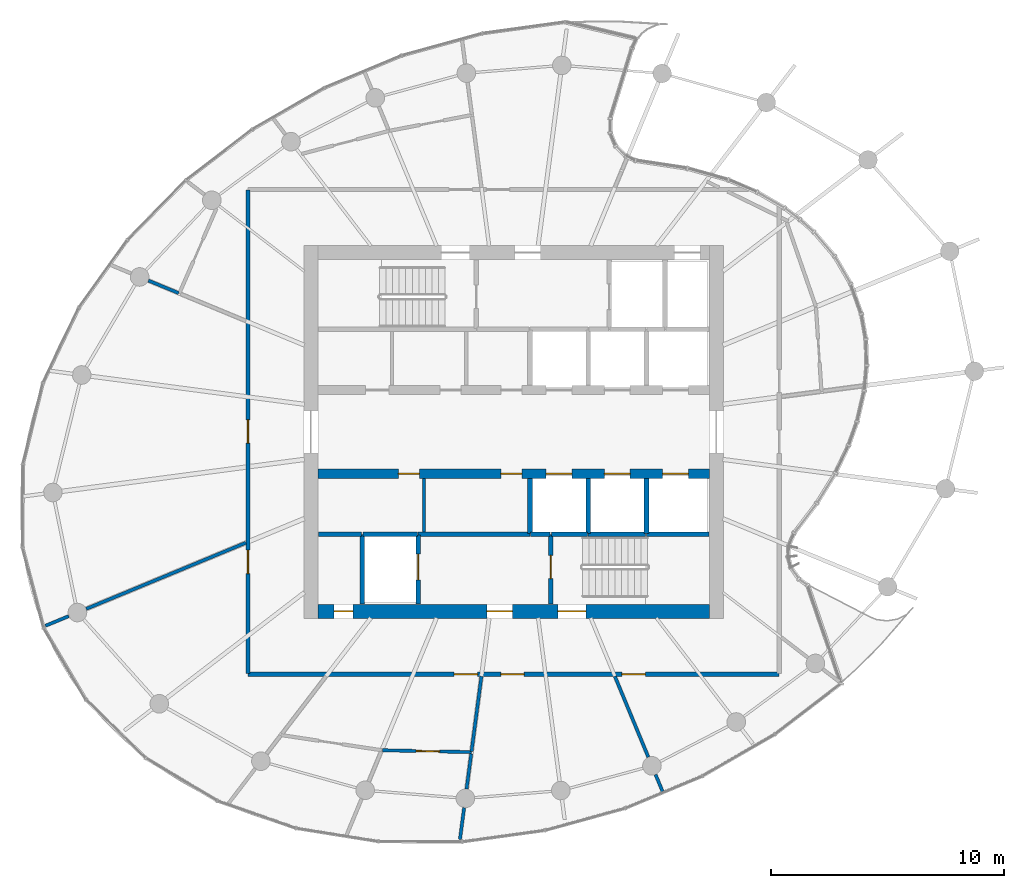
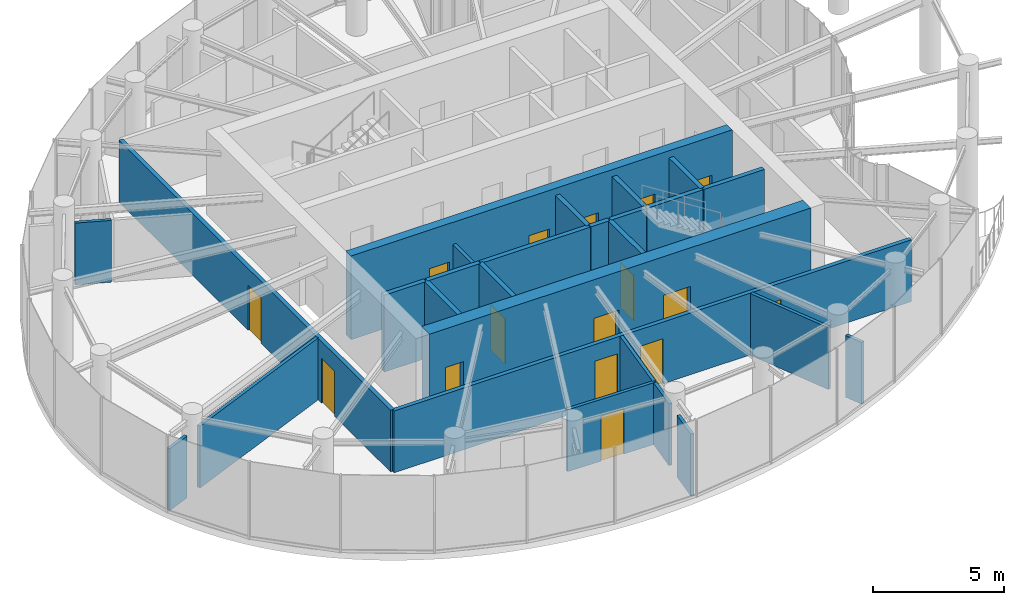
# One storey, part 10 of 14: 27 walls, 16 doors, 16 openings.
"""IFC4 building model written with IfcOpenShell, lengths in metres."""

from ifc_helpers import new_model, si_unit, direction, frame, frame_2d, origin, place, context, subcontext, project, spatial, rectangle, extrude, source, transform, mapped, material, layer, layer_set, type_object, element, fill, save


model = new_model("IFC4")

# Units and contexts
model_context = context("Model", 3, precision=1e-05, world=origin(), true_north=direction((0.0, 1.0)))
body_context = subcontext(model_context, "Body", "Model", "MODEL_VIEW")
ifc_project = project(units=[si_unit("LENGTHUNIT", "METRE"), si_unit("AREAUNIT", "SQUARE_METRE"), si_unit("VOLUMEUNIT", "CUBIC_METRE"), si_unit("PLANEANGLEUNIT", "RADIAN"), si_unit("MASSUNIT", "GRAM", prefix="KILO")], contexts=[model_context])

# Site, building, storey
site_placement = place(None, origin())
site = spatial("IfcSite", under=ifc_project, at=site_placement, CompositionType="ELEMENT")
building_placement = place(site_placement, origin())
building = spatial("IfcBuilding", under=site, at=building_placement, Name="Spindrift Exchange Tower", CompositionType="ELEMENT")
storey_placement = place(building_placement, frame((0.0, 0.0, 238.39990234375)))
storey = spatial("IfcBuildingStorey", under=building, at=storey_placement, Name="L58", CompositionType="ELEMENT", Elevation=238.39990234375)

# Wall, openings, doors
ifc_material_1 = material(Name="Concrete 50 MPa", Category="concrete")
ifc_layer_1 = layer(ifc_material_1, 0.60009765625)
ifc_layer_set_1 = layer_set([ifc_layer_1], Name="RC Core Wall 600 Concrete 50 MPa")
wall_type_1 = type_object("IfcWallType", Name="RC Core Wall 600 Concrete 50 MPa", PredefinedType="SHEAR", material=ifc_layer_set_1)
wall_1_placement = place(storey_placement, frame((43.60009765625, 40.300048828125, 0.0), z_axis=(0.0, 0.0, 1.0), x_axis=(1.0, 0.0, 0.0)))
wall_1 = element("IfcWall", 1, at=wall_1_placement, inside=storey, type_object=wall_type_1, Name="Core wall S L58", PredefinedType="SHEAR", context=body_context, shape_type="SweptSolid", body=[
    extrude(rectangle(XDim=16.7998046875, YDim=0.60009765625, at=frame_2d((8.39990234375, 0.0))), origin(), (0.0, 0.0, 1.0), 3.900146484375),
])
opening_1_placement = place(wall_1_placement, frame((10.300048828125, 0.0, 0.0)))
opening_1 = element("IfcOpeningElement", 2, at=opening_1_placement, cuts=wall_1, Name="Opening L58-D15", PredefinedType="OPENING", context=body_context, shape_type="SweptSolid", body=[
    extrude(rectangle(XDim=1.199951171875, YDim=2.10009765625, at=frame_2d((0.60009765625, 1.050048828125))), frame((0.0, 0.31005859375, 0.0), z_axis=(0.0, -1.0, 0.0), x_axis=(1.0, 0.0, 0.0)), (0.0, 0.0, 1.0), 0.6201171875),
])
opening_2_placement = place(wall_1_placement, frame((7.25, 0.0, 0.0)))
opening_2 = element("IfcOpeningElement", 3, at=opening_2_placement, cuts=wall_1, Name="Opening L58-D17", PredefinedType="OPENING", context=body_context, shape_type="SweptSolid", body=[
    extrude(rectangle(XDim=1.10009765625, YDim=2.10009765625, at=frame_2d((0.550048828125, 1.050048828125))), frame((0.0, 0.31005859375, 0.0), z_axis=(0.0, -1.0, 0.0), x_axis=(1.0, 0.0, 0.0)), (0.0, 0.0, 1.0), 0.6201171875),
])
opening_3_placement = place(wall_1_placement, frame((0.699951171875, 0.0, 0.0)))
opening_3 = element("IfcOpeningElement", 4, at=opening_3_placement, cuts=wall_1, Name="Opening L58-D18", PredefinedType="OPENING", context=body_context, shape_type="SweptSolid", body=[
    extrude(rectangle(XDim=0.800048828125, YDim=2.10009765625, at=frame_2d((0.39990234375, 1.050048828125))), frame((0.0, 0.31005859375, 0.0), z_axis=(0.0, -1.0, 0.0), x_axis=(1.0, 0.0, 0.0)), (0.0, 0.0, 1.0), 0.6201171875),
])
ifc_material_2 = material(Name="Steel fire door", Category="steel")
door_type_1 = type_object("IfcDoorType", Name="DR-STAIR-1200", OperationType="NOTDEFINED", PredefinedType="DOOR", material=ifc_material_2)
shared_shape_1 = source(origin(), body_context, "Body", "SweptSolid", [
    extrude(rectangle(XDim=1.199951171875, YDim=2.10009765625, at=frame_2d((0.60009765625, 1.050048828125))), frame((0.0, 0.02490234375, 0.0), z_axis=(0.0, -1.0, 0.0), x_axis=(1.0, 0.0, 0.0)), (0.0, 0.0, 1.0), 0.050048828125),
])
door_1_placement = place(opening_1_placement, origin())
door_1 = element("IfcDoor", 5, at=door_1_placement, inside=storey, type_object=door_type_1, Name="L58 Stair door 15", OperationType="SINGLE_SWING_RIGHT", OverallHeight=2.10009765625, OverallWidth=1.199951171875, PredefinedType="DOOR", context=body_context, shape_type="MappedRepresentation", body=[
    mapped(shared_shape_1, transform((0.0, 0.0, 0.0), scale=1.0)),
])
fill(opening_1, door_1)
ifc_material_3 = material(Name="Timber-core fire door", Category="wood")
door_type_2 = type_object("IfcDoorType", Name="DR-LOBBY-1100", OperationType="NOTDEFINED", PredefinedType="DOOR", material=ifc_material_3)
shared_shape_2 = source(origin(), body_context, "Body", "SweptSolid", [
    extrude(rectangle(XDim=1.10009765625, YDim=2.10009765625, at=frame_2d((0.550048828125, 1.050048828125))), frame((0.0, 0.02490234375, 0.0), z_axis=(0.0, -1.0, 0.0), x_axis=(1.0, 0.0, 0.0)), (0.0, 0.0, 1.0), 0.050048828125),
])
door_2_placement = place(opening_2_placement, origin())
door_2 = element("IfcDoor", 6, at=door_2_placement, inside=storey, type_object=door_type_2, Name="L58 Lobby door 17", OperationType="SINGLE_SWING_RIGHT", OverallHeight=2.10009765625, OverallWidth=1.10009765625, PredefinedType="DOOR", context=body_context, shape_type="MappedRepresentation", body=[
    mapped(shared_shape_2, transform((0.0, 0.0, 0.0), scale=1.0)),
])
fill(opening_2, door_2)
ifc_material_4 = material(Name="Steel access door", Category="steel")
door_type_3 = type_object("IfcDoorType", Name="DR-RISER-800", OperationType="NOTDEFINED", PredefinedType="DOOR", material=ifc_material_4)
shared_shape_3 = source(origin(), body_context, "Body", "SweptSolid", [
    extrude(rectangle(XDim=0.800048828125, YDim=2.10009765625, at=frame_2d((0.39990234375, 1.050048828125))), frame((0.0, 0.02490234375, 0.0), z_axis=(0.0, -1.0, 0.0), x_axis=(1.0, 0.0, 0.0)), (0.0, 0.0, 1.0), 0.050048828125),
])
door_3_placement = place(opening_3_placement, origin())
door_3 = element("IfcDoor", 7, at=door_3_placement, inside=storey, type_object=door_type_3, Name="L58 Riser door 18", OperationType="SINGLE_SWING_LEFT", OverallHeight=2.10009765625, OverallWidth=0.800048828125, PredefinedType="DOOR", context=body_context, shape_type="MappedRepresentation", body=[
    mapped(shared_shape_3, transform((0.0, 0.0, 0.0), scale=1.0)),
])
fill(opening_3, door_3)

ifc_layer_2 = layer(ifc_material_1, 0.39990234375)
ifc_layer_set_2 = layer_set([ifc_layer_2], Name="RC Spine Wall 400 Concrete 50 MPa")
wall_type_2 = type_object("IfcWallType", Name="RC Spine Wall 400 Concrete 50 MPa", PredefinedType="SHEAR", material=ifc_layer_set_2)
wall_2_placement = place(storey_placement, frame((43.60009765625, 46.199951171875, 0.0), z_axis=(0.0, 0.0, 1.0), x_axis=(1.0, 0.0, 0.0)))
wall_2 = element("IfcWall", 8, at=wall_2_placement, inside=storey, type_object=wall_type_2, Name="Core spine wall S L58", PredefinedType="SHEAR", context=body_context, shape_type="SweptSolid", body=[
    extrude(rectangle(XDim=16.7998046875, YDim=0.39990234375, at=frame_2d((8.39990234375, 0.0))), origin(), (0.0, 0.0, 1.0), 3.900146484375),
])
opening_4_placement = place(wall_2_placement, frame((9.800048828125, 0.0, 0.0)))
opening_4 = element("IfcOpeningElement", 9, at=opening_4_placement, cuts=wall_2, Name="Opening L58-D6", PredefinedType="OPENING", context=body_context, shape_type="SweptSolid", body=[
    extrude(rectangle(XDim=1.10009765625, YDim=2.10009765625, at=frame_2d((0.550048828125, 1.050048828125))), frame((0.0, 0.2099609375, 0.0), z_axis=(0.0, -1.0, 0.0), x_axis=(1.0, 0.0, 0.0)), (0.0, 0.0, 1.0), 0.419921875),
])
opening_5_placement = place(wall_2_placement, frame((12.300048828125, 0.0, 0.0)))
opening_5 = element("IfcOpeningElement", 10, at=opening_5_placement, cuts=wall_2, Name="Opening L58-D7", PredefinedType="OPENING", context=body_context, shape_type="SweptSolid", body=[
    extrude(rectangle(XDim=1.10009765625, YDim=2.10009765625, at=frame_2d((0.550048828125, 1.050048828125))), frame((0.0, 0.2099609375, 0.0), z_axis=(0.0, -1.0, 0.0), x_axis=(1.0, 0.0, 0.0)), (0.0, 0.0, 1.0), 0.419921875),
])
opening_6_placement = place(wall_2_placement, frame((14.800048828125, 0.0, 0.0)))
opening_6 = element("IfcOpeningElement", 11, at=opening_6_placement, cuts=wall_2, Name="Opening L58-D8", PredefinedType="OPENING", context=body_context, shape_type="SweptSolid", body=[
    extrude(rectangle(XDim=1.10009765625, YDim=2.10009765625, at=frame_2d((0.550048828125, 1.050048828125))), frame((0.0, 0.2099609375, 0.0), z_axis=(0.0, -1.0, 0.0), x_axis=(1.0, 0.0, 0.0)), (0.0, 0.0, 1.0), 0.419921875),
])
opening_7_placement = place(wall_2_placement, frame((3.449951171875, 0.0, 0.0)))
opening_7 = element("IfcOpeningElement", 12, at=opening_7_placement, cuts=wall_2, Name="Opening L58-D37", PredefinedType="OPENING", context=body_context, shape_type="SweptSolid", body=[
    extrude(rectangle(XDim=0.89990234375, YDim=2.10009765625, at=frame_2d((0.449951171875, 1.050048828125))), frame((0.0, 0.2099609375, 0.0), z_axis=(0.0, -1.0, 0.0), x_axis=(1.0, 0.0, 0.0)), (0.0, 0.0, 1.0), 0.419921875),
])
opening_8_placement = place(wall_2_placement, frame((7.85009765625, 0.0, 0.0)))
opening_8 = element("IfcOpeningElement", 13, at=opening_8_placement, cuts=wall_2, Name="Opening L58-D38", PredefinedType="OPENING", context=body_context, shape_type="SweptSolid", body=[
    extrude(rectangle(XDim=0.89990234375, YDim=2.10009765625, at=frame_2d((0.449951171875, 1.050048828125))), frame((0.0, 0.2099609375, 0.0), z_axis=(0.0, -1.0, 0.0), x_axis=(1.0, 0.0, 0.0)), (0.0, 0.0, 1.0), 0.419921875),
])
ifc_material_5 = material(Name="Stainless steel landing door", Category="steel")
door_type_4 = type_object("IfcDoorType", Name="DR-LANDING-1100-SL", OperationType="DOUBLE_DOOR_SLIDING", PredefinedType="USERDEFINED", material=ifc_material_5)
shared_shape_4 = source(origin(), body_context, "Body", "SweptSolid", [
    extrude(rectangle(XDim=1.10009765625, YDim=2.10009765625, at=frame_2d((0.550048828125, 1.050048828125))), frame((0.0, 0.02490234375, 0.0), z_axis=(0.0, -1.0, 0.0), x_axis=(1.0, 0.0, 0.0)), (0.0, 0.0, 1.0), 0.050048828125),
])
door_4_placement = place(opening_4_placement, origin())
door_4 = element("IfcDoor", 14, at=door_4_placement, inside=storey, type_object=door_type_4, Name="L58 Lift landing door 6", ObjectType="LANDING DOOR", OperationType="DOUBLE_DOOR_SLIDING", OverallHeight=2.10009765625, OverallWidth=1.10009765625, PredefinedType="USERDEFINED", context=body_context, shape_type="MappedRepresentation", body=[
    mapped(shared_shape_4, transform((0.0, 0.0, 0.0), scale=1.0)),
])
fill(opening_4, door_4)
door_5_placement = place(opening_5_placement, origin())
door_5 = element("IfcDoor", 15, at=door_5_placement, inside=storey, type_object=door_type_4, Name="L58 Lift landing door 7", ObjectType="LANDING DOOR", OperationType="DOUBLE_DOOR_SLIDING", OverallHeight=2.10009765625, OverallWidth=1.10009765625, PredefinedType="USERDEFINED", context=body_context, shape_type="MappedRepresentation", body=[
    mapped(shared_shape_4, transform((0.0, 0.0, 0.0), scale=1.0)),
])
fill(opening_5, door_5)
door_6_placement = place(opening_6_placement, origin())
door_6 = element("IfcDoor", 16, at=door_6_placement, inside=storey, type_object=door_type_4, Name="L58 Lift landing door 8", ObjectType="LANDING DOOR", OperationType="DOUBLE_DOOR_SLIDING", OverallHeight=2.10009765625, OverallWidth=1.10009765625, PredefinedType="USERDEFINED", context=body_context, shape_type="MappedRepresentation", body=[
    mapped(shared_shape_4, transform((0.0, 0.0, 0.0), scale=1.0)),
])
fill(opening_6, door_6)
door_type_5 = type_object("IfcDoorType", Name="DR-RISER-900", OperationType="NOTDEFINED", PredefinedType="DOOR", material=ifc_material_4)
shared_shape_5 = source(origin(), body_context, "Body", "SweptSolid", [
    extrude(rectangle(XDim=0.89990234375, YDim=2.10009765625, at=frame_2d((0.449951171875, 1.050048828125))), frame((0.0, 0.02490234375, 0.0), z_axis=(0.0, -1.0, 0.0), x_axis=(1.0, 0.0, 0.0)), (0.0, 0.0, 1.0), 0.050048828125),
])
door_7_placement = place(opening_7_placement, origin())
door_7 = element("IfcDoor", 17, at=door_7_placement, inside=storey, type_object=door_type_5, Name="L58 Riser door 37", OperationType="SINGLE_SWING_RIGHT", OverallHeight=2.10009765625, OverallWidth=0.89990234375, PredefinedType="DOOR", context=body_context, shape_type="MappedRepresentation", body=[
    mapped(shared_shape_5, transform((0.0, 0.0, 0.0), scale=1.0)),
])
fill(opening_7, door_7)
door_8_placement = place(opening_8_placement, origin())
door_8 = element("IfcDoor", 18, at=door_8_placement, inside=storey, type_object=door_type_5, Name="L58 Riser door 38", OperationType="SINGLE_SWING_LEFT", OverallHeight=2.10009765625, OverallWidth=0.89990234375, PredefinedType="DOOR", context=body_context, shape_type="MappedRepresentation", body=[
    mapped(shared_shape_5, transform((0.0, 0.0, 0.0), scale=1.0)),
])
fill(opening_8, door_8)

ifc_material_6 = material(Name="Fire-rated plasterboard partition", Category="gypsum")
ifc_layer_3 = layer(ifc_material_6, 0.179931640625)
ifc_layer_set_3 = layer_set([ifc_layer_3], Name="W-CORR-180")
wall_type_3 = type_object("IfcWallType", Name="W-CORR-180", PredefinedType="PARTITIONING", material=ifc_layer_set_3)
wall_3_placement = place(storey_placement, frame((63.39990234375, 37.60009765625, 0.0), z_axis=(0.0, 0.0, 1.0), x_axis=(-1.0, 0.0, 0.0)))
wall_3 = element("IfcWall", 19, at=wall_3_placement, inside=storey, type_object=wall_type_3, Name="L58 Partition wall 27", PredefinedType="PARTITIONING", context=body_context, shape_type="SweptSolid", body=[
    extrude(rectangle(XDim=22.7998046875, YDim=0.179931640625, at=frame_2d((11.39990234375, 0.0))), origin(), (0.0, 0.0, 1.0), 2.880126953125),
])
opening_9_placement = place(wall_3_placement, frame((12.949951171875, 0.0, 0.0)))
opening_9 = element("IfcOpeningElement", 20, at=opening_9_placement, cuts=wall_3, Name="Opening L58-D28", PredefinedType="OPENING", context=body_context, shape_type="SweptSolid", body=[
    extrude(rectangle(XDim=1.0, YDim=2.10009765625, at=frame_2d((0.5, 1.050048828125))), frame((0.0, 0.099853515625, 0.0), z_axis=(0.0, -1.0, 0.0), x_axis=(1.0, 0.0, 0.0)), (0.0, 0.0, 1.0), 0.199951171875),
])
opening_10_placement = place(wall_3_placement, frame((10.949951171875, 0.0, 0.0)))
opening_10 = element("IfcOpeningElement", 21, at=opening_10_placement, cuts=wall_3, Name="Opening L58-D31", PredefinedType="OPENING", context=body_context, shape_type="SweptSolid", body=[
    extrude(rectangle(XDim=1.0, YDim=2.10009765625, at=frame_2d((0.5, 1.050048828125))), frame((0.0, 0.099853515625, 0.0), z_axis=(0.0, -1.0, 0.0), x_axis=(1.0, 0.0, 0.0)), (0.0, 0.0, 1.0), 0.199951171875),
])
opening_11_placement = place(wall_3_placement, frame((5.75, 0.0, 0.0)))
opening_11 = element("IfcOpeningElement", 22, at=opening_11_placement, cuts=wall_3, Name="Opening L58-D32", PredefinedType="OPENING", context=body_context, shape_type="SweptSolid", body=[
    extrude(rectangle(XDim=1.0, YDim=2.10009765625, at=frame_2d((0.5, 1.050048828125))), frame((0.0, 0.099853515625, 0.0), z_axis=(0.0, -1.0, 0.0), x_axis=(1.0, 0.0, 0.0)), (0.0, 0.0, 1.0), 0.199951171875),
])
door_type_6 = type_object("IfcDoorType", Name="DR-ROOM-1000", OperationType="NOTDEFINED", PredefinedType="DOOR", material=ifc_material_3)
shared_shape_6 = source(origin(), body_context, "Body", "SweptSolid", [
    extrude(rectangle(XDim=1.0, YDim=2.10009765625, at=frame_2d((0.5, 1.050048828125))), frame((0.0, 0.02490234375, 0.0), z_axis=(0.0, -1.0, 0.0), x_axis=(1.0, 0.0, 0.0)), (0.0, 0.0, 1.0), 0.050048828125),
])
door_9_placement = place(opening_9_placement, origin())
door_9 = element("IfcDoor", 23, at=door_9_placement, inside=storey, type_object=door_type_6, Name="L58 Door 28", OperationType="SINGLE_SWING_LEFT", OverallHeight=2.10009765625, OverallWidth=1.0, PredefinedType="DOOR", context=body_context, shape_type="MappedRepresentation", body=[
    mapped(shared_shape_6, transform((0.0, 0.0, 0.0), scale=1.0)),
])
fill(opening_9, door_9)
door_10_placement = place(opening_10_placement, origin())
door_10 = element("IfcDoor", 24, at=door_10_placement, inside=storey, type_object=door_type_6, Name="L58 Door 31", OperationType="SINGLE_SWING_RIGHT", OverallHeight=2.10009765625, OverallWidth=1.0, PredefinedType="DOOR", context=body_context, shape_type="MappedRepresentation", body=[
    mapped(shared_shape_6, transform((0.0, 0.0, 0.0), scale=1.0)),
])
fill(opening_10, door_10)
door_11_placement = place(opening_11_placement, origin())
door_11 = element("IfcDoor", 25, at=door_11_placement, inside=storey, type_object=door_type_6, Name="L58 Door 32", OperationType="SINGLE_SWING_LEFT", OverallHeight=2.10009765625, OverallWidth=1.0, PredefinedType="DOOR", context=body_context, shape_type="MappedRepresentation", body=[
    mapped(shared_shape_6, transform((0.0, 0.0, 0.0), scale=1.0)),
])
fill(opening_11, door_11)

wall_4_placement = place(storey_placement, frame((40.60009765625, 37.6298828125, 0.0), z_axis=(0.0, 0.0, 1.0), x_axis=(0.0, 1.0, 0.0)))
wall_4 = element("IfcWall", 26, at=wall_4_placement, inside=storey, type_object=wall_type_3, Name="L58 Partition wall 29", PredefinedType="PARTITIONING", context=body_context, shape_type="SweptSolid", body=[
    extrude(rectangle(XDim=20.740234375, YDim=0.179931640625, at=frame_2d((10.3701171875, 0.0))), origin(), (0.0, 0.0, 1.0), 2.880126953125),
])
opening_12_placement = place(wall_4_placement, frame((9.889892578125, 0.0, 0.0)))
opening_12 = element("IfcOpeningElement", 27, at=opening_12_placement, cuts=wall_4, Name="Opening L58-D26", PredefinedType="OPENING", context=body_context, shape_type="SweptSolid", body=[
    extrude(rectangle(XDim=1.0, YDim=2.10009765625, at=frame_2d((0.5, 1.050048828125))), frame((0.0, 0.099853515625, 0.0), z_axis=(0.0, -1.0, 0.0), x_axis=(1.0, 0.0, 0.0)), (0.0, 0.0, 1.0), 0.199951171875),
])
opening_13_placement = place(wall_4_placement, frame((4.2900390625, 0.0, 0.0)))
opening_13 = element("IfcOpeningElement", 28, at=opening_13_placement, cuts=wall_4, Name="Opening L58-D27", PredefinedType="OPENING", context=body_context, shape_type="SweptSolid", body=[
    extrude(rectangle(XDim=1.0, YDim=2.10009765625, at=frame_2d((0.5, 1.050048828125))), frame((0.0, 0.099853515625, 0.0), z_axis=(0.0, -1.0, 0.0), x_axis=(1.0, 0.0, 0.0)), (0.0, 0.0, 1.0), 0.199951171875),
])
door_12_placement = place(opening_12_placement, origin())
door_12 = element("IfcDoor", 29, at=door_12_placement, inside=storey, type_object=door_type_6, Name="L58 Door 26", OperationType="SINGLE_SWING_LEFT", OverallHeight=2.10009765625, OverallWidth=1.0, PredefinedType="DOOR", context=body_context, shape_type="MappedRepresentation", body=[
    mapped(shared_shape_6, transform((0.0, 0.0, 0.0), scale=1.0)),
])
fill(opening_12, door_12)
door_13_placement = place(opening_13_placement, origin())
door_13 = element("IfcDoor", 30, at=door_13_placement, inside=storey, type_object=door_type_6, Name="L58 Door 27", OperationType="SINGLE_SWING_RIGHT", OverallHeight=2.10009765625, OverallWidth=1.0, PredefinedType="DOOR", context=body_context, shape_type="MappedRepresentation", body=[
    mapped(shared_shape_6, transform((0.0, 0.0, 0.0), scale=1.0)),
])
fill(opening_13, door_13)

# Wall
ifc_layer_4 = layer(ifc_material_6, 0.139892578125)
ifc_layer_set_4 = layer_set([ifc_layer_4], Name="W-PART-140")
wall_type_4 = type_object("IfcWallType", Name="W-PART-140", PredefinedType="PARTITIONING", material=ifc_layer_set_4)
wall_5_placement = place(storey_placement, frame((40.510009765625, 43.24072265625, 0.0), z_axis=(0.0, 0.0, 1.0), x_axis=(-0.92388089155, -0.38268015134, 0.0)))
element("IfcWall", 31, at=wall_5_placement, inside=storey, type_object=wall_type_4, Name="L58 Partition wall 31", PredefinedType="PARTITIONING", context=body_context, shape_type="SweptSolid", body=[
    extrude(rectangle(XDim=7.42041015625, YDim=0.139892578125, at=frame_2d((3.710205078125, 0.0))), origin(), (0.0, 0.0, 1.0), 2.880126953125),
])

# Wall, opening, door
wall_6_placement = place(storey_placement, frame((50.1904296875, 34.2548828125, 0.0), z_axis=(0.0, 0.0, 1.0), x_axis=(-0.999781752069, 0.020891343404, 0.0)))
wall_6 = element("IfcWall", 32, at=wall_6_placement, inside=storey, type_object=wall_type_4, Name="L58 Partition wall 35", PredefinedType="PARTITIONING", context=body_context, shape_type="SweptSolid", body=[
    extrude(rectangle(XDim=3.8212890625, YDim=0.139892578125, at=frame_2d((1.91064453125, 0.0))), origin(), (0.0, 0.0, 1.0), 2.880126953125),
])
opening_14_placement = place(wall_6_placement, frame((1.371337890625, 0.0, 0.0)))
opening_14 = element("IfcOpeningElement", 33, at=opening_14_placement, cuts=wall_6, Name="Opening L58-D30", PredefinedType="OPENING", context=body_context, shape_type="SweptSolid", body=[
    extrude(rectangle(XDim=1.0, YDim=2.10009765625, at=frame_2d((0.5, 1.050048828125))), frame((0.0, 0.079833984375, 0.0), z_axis=(0.0, -1.0, 0.0), x_axis=(1.0, 0.0, 0.0)), (0.0, 0.0, 1.0), 0.159912109375),
])
door_14_placement = place(opening_14_placement, origin())
door_14 = element("IfcDoor", 34, at=door_14_placement, inside=storey, type_object=door_type_6, Name="L58 Door 30", OperationType="SINGLE_SWING_LEFT", OverallHeight=2.10009765625, OverallWidth=1.0, PredefinedType="DOOR", context=body_context, shape_type="MappedRepresentation", body=[
    mapped(shared_shape_6, transform((0.0, 0.0, 0.0), scale=1.0)),
])
fill(opening_14, door_14)

# Walls
wall_7_placement = place(storey_placement, frame((56.34521484375, 37.510009765625, 0.0), z_axis=(0.0, 0.0, 1.0), x_axis=(0.382638866773, -0.923897990925, 0.0)))
element("IfcWall", 35, at=wall_7_placement, inside=storey, type_object=wall_type_4, Name="L58 Partition wall 36", PredefinedType="PARTITIONING", context=body_context, shape_type="SweptSolid", body=[
    extrude(rectangle(XDim=3.755615234375, YDim=0.139892578125, at=frame_2d((1.8779296875, 0.0))), origin(), (0.0, 0.0, 1.0), 2.880126953125),
])
wall_8_placement = place(storey_placement, frame((50.618896484375, 37.510009765625, 0.0), z_axis=(0.0, 0.0, 1.0), x_axis=(-0.130506927867, -0.991447397384, 0.0)))
element("IfcWall", 36, at=wall_8_placement, inside=storey, type_object=wall_type_4, Name="L58 Partition wall 40", PredefinedType="PARTITIONING", context=body_context, shape_type="SweptSolid", body=[
    extrude(rectangle(XDim=3.253173828125, YDim=0.139892578125, at=frame_2d((1.62646484375, 0.0))), origin(), (0.0, 0.0, 1.0), 2.880126953125),
])
wall_9_placement = place(storey_placement, frame((48.14990234375, 43.699951171875, 0.0), z_axis=(0.0, 0.0, 1.0), x_axis=(0.0, 1.0, 0.0)))
element("IfcWall", 37, at=wall_9_placement, inside=storey, type_object=wall_type_4, Name="L58 Partition wall 46", PredefinedType="PARTITIONING", context=body_context, shape_type="SweptSolid", body=[
    extrude(rectangle(XDim=2.2900390625, YDim=0.139892578125, at=frame_2d((1.14501953125, 0.0))), origin(), (0.0, 0.0, 1.0), 2.880126953125),
])
wall_10_placement = place(storey_placement, frame((50.18115234375, 34.18505859375, 0.0), z_axis=(0.0, 0.0, 1.0), x_axis=(-0.130520633203, -0.991445593216, 0.0)))
element("IfcWall", 38, at=wall_10_placement, inside=storey, type_object=wall_type_4, Name="L58 Partition wall 52", PredefinedType="PARTITIONING", context=body_context, shape_type="SweptSolid", body=[
    extrude(rectangle(XDim=1.5283203125, YDim=0.139892578125, at=frame_2d((0.76416015625, 0.0))), origin(), (0.0, 0.0, 1.0), 2.880126953125),
])
wall_11_placement = place(storey_placement, frame((37.624267578125, 53.95458984375, 0.0), z_axis=(0.0, 0.0, 1.0), x_axis=(-0.923828824713, 0.382805828886, 0.0)))
element("IfcWall", 39, at=wall_11_placement, inside=storey, type_object=wall_type_4, Name="L58 Partition wall 55", PredefinedType="PARTITIONING", context=body_context, shape_type="SweptSolid", body=[
    extrude(rectangle(XDim=1.408935546875, YDim=0.139892578125, at=frame_2d((0.70458984375, 0.0))), origin(), (0.0, 0.0, 1.0), 2.880126953125),
])
wall_12_placement = place(storey_placement, frame((49.876220703125, 31.86767578125, 0.0), z_axis=(0.0, 0.0, 1.0), x_axis=(-0.130565096745, -0.991439738719, 0.0)))
element("IfcWall", 40, at=wall_12_placement, inside=storey, type_object=wall_type_4, Name="L58 Partition wall 57", PredefinedType="PARTITIONING", context=body_context, shape_type="SweptSolid", body=[
    extrude(rectangle(XDim=1.37060546875, YDim=0.139892578125, at=frame_2d((0.685302734375, 0.0))), origin(), (0.0, 0.0, 1.0), 2.880126953125),
])
wall_13_placement = place(storey_placement, frame((32.90625, 40.091064453125, 0.0), z_axis=(0.0, 0.0, 1.0), x_axis=(-0.923862802911, -0.382723818695, 0.0)))
element("IfcWall", 41, at=wall_13_placement, inside=storey, type_object=wall_type_4, Name="L58 Partition wall 59", PredefinedType="PARTITIONING", context=body_context, shape_type="SweptSolid", body=[
    extrude(rectangle(XDim=1.081787109375, YDim=0.139892578125, at=frame_2d((0.541015625, 0.0))), origin(), (0.0, 0.0, 1.0), 2.880126953125),
])
wall_14_placement = place(storey_placement, frame((58.09228515625, 33.291748046875, 0.0), z_axis=(0.0, 0.0, 1.0), x_axis=(0.382736533707, -0.923857535427, 0.0)))
element("IfcWall", 42, at=wall_14_placement, inside=storey, type_object=wall_type_4, Name="L58 Partition wall 68", PredefinedType="PARTITIONING", context=body_context, shape_type="SweptSolid", body=[
    extrude(rectangle(XDim=0.78466796875, YDim=0.139892578125, at=frame_2d((0.392333984375, 0.0))), origin(), (0.0, 0.0, 1.0), 2.880126953125),
])
ifc_material_7 = material(Name="Concrete 40 MPa", Category="concrete")
ifc_layer_5 = layer(ifc_material_7, 0.199951171875)
ifc_layer_set_5 = layer_set([ifc_layer_5], Name="W-SHAFT-200")
wall_type_5 = type_object("IfcWallType", Name="W-SHAFT-200", PredefinedType="SOLIDWALL", material=ifc_layer_set_5)
wall_15_placement = place(storey_placement, frame((52.699951171875, 43.60009765625, 0.0), z_axis=(0.0, 0.0, 1.0), x_axis=(-1.0, 0.0, 0.0)))
element("IfcWall", 43, at=wall_15_placement, inside=storey, type_object=wall_type_5, Name="L58 Shaft wall 2", PredefinedType="SOLIDWALL", context=body_context, shape_type="SweptSolid", body=[
    extrude(rectangle(XDim=4.800048828125, YDim=0.199951171875, at=frame_2d((2.39990234375, 0.0))), origin(), (0.0, 0.0, 1.0), 3.580078125),
])
wall_16_placement = place(storey_placement, frame((45.5, 43.60009765625, 0.0), z_axis=(0.0, 0.0, 1.0), x_axis=(0.0, -1.0, 0.0)))
element("IfcWall", 44, at=wall_16_placement, inside=storey, type_object=wall_type_5, Name="L58 Shaft wall 3", PredefinedType="SOLIDWALL", context=body_context, shape_type="SweptSolid", body=[
    extrude(rectangle(XDim=2.97998046875, YDim=0.199951171875, at=frame_2d((1.489990234375, 0.0))), origin(), (0.0, 0.0, 1.0), 3.580078125),
])

# Wall, opening, door
wall_17_placement = place(storey_placement, frame((47.89990234375, 40.6201171875, 0.0), z_axis=(0.0, 0.0, 1.0), x_axis=(0.0, 1.0, 0.0)))
wall_17 = element("IfcWall", 45, at=wall_17_placement, inside=storey, type_object=wall_type_5, Name="L58 Shaft wall 4", PredefinedType="SOLIDWALL", context=body_context, shape_type="SweptSolid", body=[
    extrude(rectangle(XDim=2.949951171875, YDim=0.199951171875, at=frame_2d((1.47509765625, 0.0))), origin(), (0.0, 0.0, 1.0), 3.580078125),
])
opening_15_placement = place(wall_17_placement, frame((1.030029296875, 0.0, 0.0)))
opening_15 = element("IfcOpeningElement", 46, at=opening_15_placement, cuts=wall_17, Name="Opening L58-D10", PredefinedType="OPENING", context=body_context, shape_type="SweptSolid", body=[
    extrude(rectangle(XDim=1.10009765625, YDim=2.10009765625, at=frame_2d((0.550048828125, 1.050048828125))), frame((0.0, 0.10986328125, 0.0), z_axis=(0.0, -1.0, 0.0), x_axis=(1.0, 0.0, 0.0)), (0.0, 0.0, 1.0), 0.219970703125),
])
door_15_placement = place(opening_15_placement, origin())
door_15 = element("IfcDoor", 47, at=door_15_placement, inside=storey, type_object=door_type_4, Name="L58 Lift landing door 10", ObjectType="LANDING DOOR", OperationType="DOUBLE_DOOR_SLIDING", OverallHeight=2.10009765625, OverallWidth=1.10009765625, PredefinedType="USERDEFINED", context=body_context, shape_type="MappedRepresentation", body=[
    mapped(shared_shape_4, transform((0.0, 0.0, 0.0), scale=1.0)),
])
fill(opening_15, door_15)

# Walls
wall_18_placement = place(storey_placement, frame((47.8701171875, 43.60009765625, 0.0), z_axis=(0.0, 0.0, 1.0), x_axis=(-1.0, 0.0, 0.0)))
element("IfcWall", 48, at=wall_18_placement, inside=storey, type_object=wall_type_5, Name="L58 Shaft wall 12", PredefinedType="SOLIDWALL", context=body_context, shape_type="SweptSolid", body=[
    extrude(rectangle(XDim=2.340087890625, YDim=0.199951171875, at=frame_2d((1.169921875, 0.0))), origin(), (0.0, 0.0, 1.0), 3.580078125),
])
wall_19_placement = place(storey_placement, frame((52.699951171875, 45.989990234375, 0.0), z_axis=(0.0, 0.0, 1.0), x_axis=(0.0, -1.0, 0.0)))
element("IfcWall", 49, at=wall_19_placement, inside=storey, type_object=wall_type_5, Name="L58 Shaft wall 13", PredefinedType="SOLIDWALL", context=body_context, shape_type="SweptSolid", body=[
    extrude(rectangle(XDim=2.360107421875, YDim=0.199951171875, at=frame_2d((1.18017578125, 0.0))), origin(), (0.0, 0.0, 1.0), 3.580078125),
])
wall_20_placement = place(storey_placement, frame((45.469970703125, 43.60009765625, 0.0), z_axis=(0.0, 0.0, 1.0), x_axis=(-1.0, 0.0, 0.0)))
element("IfcWall", 50, at=wall_20_placement, inside=storey, type_object=wall_type_5, Name="L58 Shaft wall 20", PredefinedType="SOLIDWALL", context=body_context, shape_type="SweptSolid", body=[
    extrude(rectangle(XDim=1.849853515625, YDim=0.199951171875, at=frame_2d((0.9248046875, 0.0))), origin(), (0.0, 0.0, 1.0), 3.580078125),
])

# Wall, opening, door
ifc_layer_6 = layer(ifc_material_7, 0.199951171875)
ifc_layer_set_6 = layer_set([ifc_layer_6], Name="W-SHAFT-200-LB")
wall_type_6 = type_object("IfcWallType", Name="W-SHAFT-200-LB", PredefinedType="SOLIDWALL", material=ifc_layer_set_6)
wall_21_placement = place(storey_placement, frame((53.60009765625, 43.60009765625, 0.0), z_axis=(0.0, 0.0, 1.0), x_axis=(0.0, -1.0, 0.0)))
wall_21 = element("IfcWall", 51, at=wall_21_placement, inside=storey, type_object=wall_type_6, Name="L58 Shaft wall 6", PredefinedType="SOLIDWALL", context=body_context, shape_type="SweptSolid", body=[
    extrude(rectangle(XDim=2.97998046875, YDim=0.199951171875, at=frame_2d((1.489990234375, 0.0))), origin(), (0.0, 0.0, 1.0), 3.580078125),
])
opening_16_placement = place(wall_21_placement, frame((0.89990234375, 0.0, 0.0)))
opening_16 = element("IfcOpeningElement", 52, at=opening_16_placement, cuts=wall_21, Name="Opening L58-D16", PredefinedType="OPENING", context=body_context, shape_type="SweptSolid", body=[
    extrude(rectangle(XDim=1.0, YDim=2.10009765625, at=frame_2d((0.5, 1.050048828125))), frame((0.0, 0.10986328125, 0.0), z_axis=(0.0, -1.0, 0.0), x_axis=(1.0, 0.0, 0.0)), (0.0, 0.0, 1.0), 0.219970703125),
])
door_type_7 = type_object("IfcDoorType", Name="DR-STAIR-1000", OperationType="NOTDEFINED", PredefinedType="DOOR", material=ifc_material_2)
shared_shape_7 = source(origin(), body_context, "Body", "SweptSolid", [
    extrude(rectangle(XDim=1.0, YDim=2.10009765625, at=frame_2d((0.5, 1.050048828125))), frame((0.0, 0.02490234375, 0.0), z_axis=(0.0, -1.0, 0.0), x_axis=(1.0, 0.0, 0.0)), (0.0, 0.0, 1.0), 0.050048828125),
])
door_16_placement = place(opening_16_placement, origin())
door_16 = element("IfcDoor", 53, at=door_16_placement, inside=storey, type_object=door_type_7, Name="L58 Stair door 16", OperationType="SINGLE_SWING_LEFT", OverallHeight=2.10009765625, OverallWidth=1.0, PredefinedType="DOOR", context=body_context, shape_type="MappedRepresentation", body=[
    mapped(shared_shape_7, transform((0.0, 0.0, 0.0), scale=1.0)),
])
fill(opening_16, door_16)

# Walls
wall_22_placement = place(storey_placement, frame((57.699951171875, 43.60009765625, 0.0), z_axis=(0.0, 0.0, 1.0), x_axis=(1.0, 0.0, 0.0)))
element("IfcWall", 54, at=wall_22_placement, inside=storey, type_object=wall_type_6, Name="L58 Shaft wall 9", PredefinedType="SOLIDWALL", context=body_context, shape_type="SweptSolid", body=[
    extrude(rectangle(XDim=2.679931640625, YDim=0.199951171875, at=frame_2d((1.33984375, 0.0))), origin(), (0.0, 0.0, 1.0), 3.580078125),
])
wall_23_placement = place(storey_placement, frame((55.199951171875, 43.60009765625, 0.0), z_axis=(0.0, 0.0, 1.0), x_axis=(1.0, 0.0, 0.0)))
element("IfcWall", 55, at=wall_23_placement, inside=storey, type_object=wall_type_6, Name="L58 Shaft wall 11", PredefinedType="SOLIDWALL", context=body_context, shape_type="SweptSolid", body=[
    extrude(rectangle(XDim=2.469970703125, YDim=0.199951171875, at=frame_2d((1.23486328125, 0.0))), origin(), (0.0, 0.0, 1.0), 3.580078125),
])
for number, where, z_axis, x_axis, name in (
    (56, (55.199951171875, 43.6298828125, 0.0), (0.0, 0.0, 1.0), (0.0, 1.0, 0.0), "L58 Shaft wall 15"),
    (57, (57.699951171875, 43.6298828125, 0.0), (0.0, 0.0, 1.0), (0.0, 1.0, 0.0), "L58 Shaft wall 17"),
):
    element("IfcWall", number, at=place(storey_placement, frame(where, z_axis=z_axis, x_axis=x_axis)), inside=storey, type_object=wall_type_6, Name=name, PredefinedType="SOLIDWALL", context=body_context, shape_type="SweptSolid", body=[
        extrude(rectangle(XDim=2.360107421875, YDim=0.199951171875, at=frame_2d((1.18017578125, 0.0))), origin(), (0.0, 0.0, 1.0), 3.580078125),
    ])
wall_24_placement = place(storey_placement, frame((53.6298828125, 43.60009765625, 0.0), z_axis=(0.0, 0.0, 1.0), x_axis=(1.0, 0.0, 0.0)))
element("IfcWall", 58, at=wall_24_placement, inside=storey, type_object=wall_type_6, Name="L58 Shaft wall 22", PredefinedType="SOLIDWALL", context=body_context, shape_type="SweptSolid", body=[
    extrude(rectangle(XDim=1.5400390625, YDim=0.199951171875, at=frame_2d((0.77001953125, 0.0))), origin(), (0.0, 0.0, 1.0), 3.580078125),
])
wall_25_placement = place(storey_placement, frame((52.72998046875, 43.60009765625, 0.0), z_axis=(0.0, 0.0, 1.0), x_axis=(1.0, 0.0, 0.0)))
element("IfcWall", 59, at=wall_25_placement, inside=storey, type_object=wall_type_6, Name="L58 Shaft wall 24", PredefinedType="SOLIDWALL", context=body_context, shape_type="SweptSolid", body=[
    extrude(rectangle(XDim=0.840087890625, YDim=0.199951171875, at=frame_2d((0.419921875, 0.0))), origin(), (0.0, 0.0, 1.0), 3.580078125),
])

save(model, "model.ifc")
